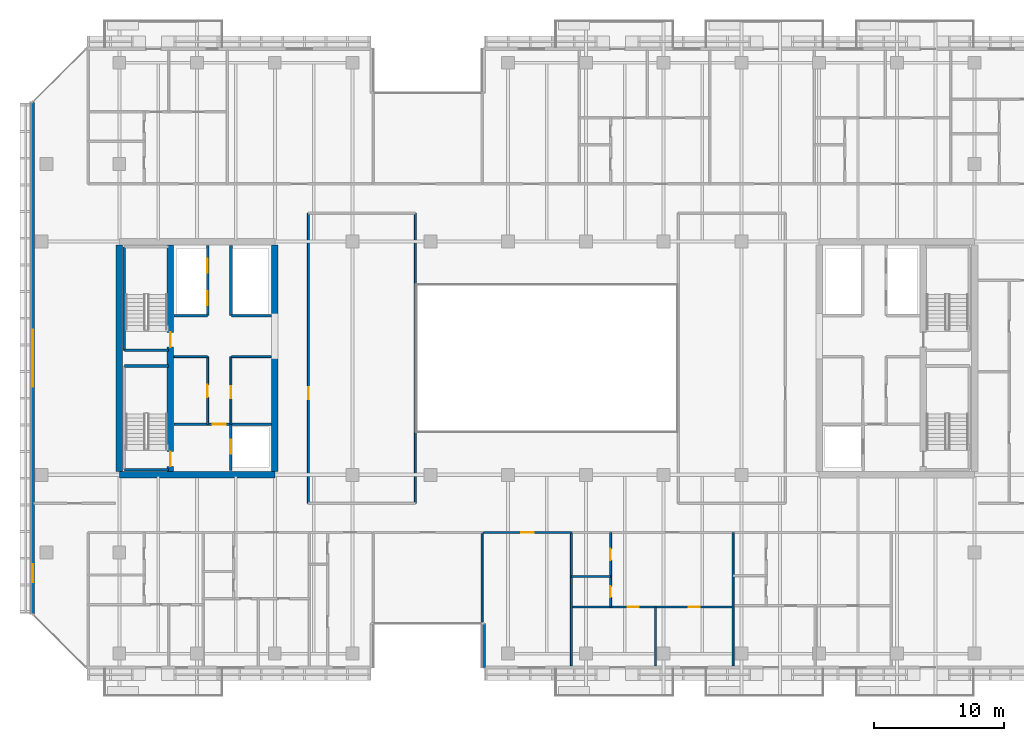
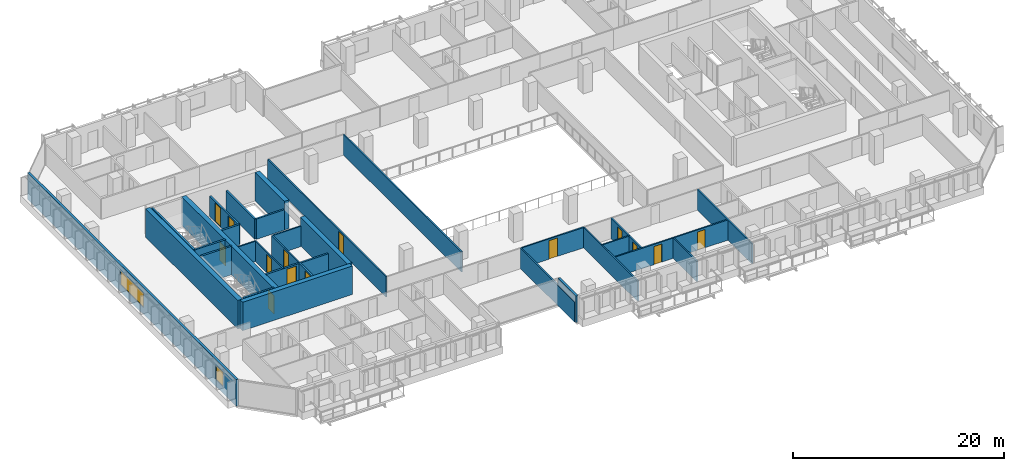
# One storey, part 24 of 35: 31 walls, 14 doors, 2 windows, 16 openings.
"""IFC4 building model written with IfcOpenShell, lengths in metres."""

from ifc_helpers import new_model, si_unit, direction, frame, frame_2d, origin, place, context, subcontext, project, spatial, rectangle, extrude, material, layer, layer_set, type_object, element, fill, save


model = new_model("IFC4")

# Units and contexts
model_context = context("Model", 3, precision=1e-05, world=origin(), true_north=direction((0.0, 1.0)))
body_context = subcontext(model_context, "Body", "Model", "MODEL_VIEW")
ifc_project = project(units=[si_unit("LENGTHUNIT", "METRE"), si_unit("AREAUNIT", "SQUARE_METRE"), si_unit("VOLUMEUNIT", "CUBIC_METRE"), si_unit("PLANEANGLEUNIT", "RADIAN"), si_unit("MASSUNIT", "GRAM", prefix="KILO")], contexts=[model_context])

# Site, building, storey
site_placement = place(None, origin())
site = spatial("IfcSite", under=ifc_project, at=site_placement, CompositionType="ELEMENT")
building_placement = place(site_placement, origin())
building = spatial("IfcBuilding", under=site, at=building_placement, Name="Tanjung Sevakor Pilgrim Tower", CompositionType="ELEMENT")
storey_placement = place(building_placement, frame((0.0, 0.0, 92.070068359375)))
storey = spatial("IfcBuildingStorey", under=building, at=storey_placement, Name="L25", CompositionType="ELEMENT", Elevation=92.070068359375)

# Walls
ifc_material_1 = material(Name="Concrete C60/75", Category="concrete")
ifc_layer_1 = layer(ifc_material_1, 0.5)
ifc_layer_set_1 = layer_set([ifc_layer_1], Name="WALL-CW-500")
wall_type_1 = type_object("IfcWallType", Name="WALL-CW-500", PredefinedType="SHEAR", material=ifc_layer_set_1)
wall_1_placement = place(storey_placement, frame((24.0, 24.60009765625, 0.0), z_axis=(0.0, 0.0, 1.0), x_axis=(1.0, 0.0, 0.0)))
element("IfcWall", 1, at=wall_1_placement, inside=storey, type_object=wall_type_1, Name="L25 W Core South Shear Wall", PredefinedType="SHEAR", context=body_context, shape_type="SweptSolid", body=[
    extrude(rectangle(XDim=12.0, YDim=0.5, at=frame_2d((6.0, 0.0))), origin(), (0.0, 0.0, 1.0), 3.300048828125),
])
wall_2_placement = place(storey_placement, frame((24.0, 24.85009765625, 0.0), z_axis=(0.0, 0.0, 1.0), x_axis=(0.0, 1.0, 0.0)))
element("IfcWall", 2, at=wall_2_placement, inside=storey, type_object=wall_type_1, Name="L25 W Core Outer Shear Wall", PredefinedType="SHEAR", context=body_context, shape_type="SweptSolid", body=[
    extrude(rectangle(XDim=17.5, YDim=0.5, at=frame_2d((8.75, 0.0))), origin(), (0.0, 0.0, 1.0), 3.300048828125),
])
wall_3_placement = place(storey_placement, frame((36.0, 24.85009765625, 0.0), z_axis=(0.0, 0.0, 1.0), x_axis=(0.0, 1.0, 0.0)))
element("IfcWall", 3, at=wall_3_placement, inside=storey, type_object=wall_type_1, Name="L25 W Core Inner Shear Wall South", PredefinedType="SHEAR", context=body_context, shape_type="SweptSolid", body=[
    extrude(rectangle(XDim=8.949951171875, YDim=0.5, at=frame_2d((4.47509765625, 0.0))), origin(), (0.0, 0.0, 1.0), 3.300048828125),
])
wall_4_placement = place(storey_placement, frame((36.0, 36.800048828125, 0.0), z_axis=(0.0, 0.0, 1.0), x_axis=(0.0, 1.0, 0.0)))
element("IfcWall", 4, at=wall_4_placement, inside=storey, type_object=wall_type_1, Name="L25 W Core Inner Shear Wall North", PredefinedType="SHEAR", context=body_context, shape_type="SweptSolid", body=[
    extrude(rectangle(XDim=5.550048828125, YDim=0.5, at=frame_2d((2.77490234375, 0.0))), origin(), (0.0, 0.0, 1.0), 3.300048828125),
])

# Wall, openings, doors
wall_5_placement = place(storey_placement, frame((27.949951171875, 24.85009765625, 0.0), z_axis=(0.0, 0.0, 1.0), x_axis=(0.0, 1.0, 0.0)))
wall_5 = element("IfcWall", 5, at=wall_5_placement, inside=storey, type_object=wall_type_1, Name="L25 W Core Stair Spine Wall", PredefinedType="SHEAR", context=body_context, shape_type="SweptSolid", body=[
    extrude(rectangle(XDim=17.5, YDim=0.5, at=frame_2d((8.75, 0.0))), origin(), (0.0, 0.0, 1.0), 3.300048828125),
])
opening_1_placement = place(wall_5_placement, frame((0.39990234375, 0.0, 0.0)))
opening_1 = element("IfcOpeningElement", 6, at=opening_1_placement, cuts=wall_5, Name="Opening ID-ST1", PredefinedType="OPENING", context=body_context, shape_type="SweptSolid", body=[
    extrude(rectangle(XDim=1.14990234375, YDim=2.14990234375, at=frame_2d((0.574951171875, 1.074951171875))), frame((0.0, 0.260009765625, 0.0), z_axis=(0.0, -1.0, 0.0), x_axis=(1.0, 0.0, 0.0)), (0.0, 0.0, 1.0), 0.52001953125),
])
opening_2_placement = place(wall_5_placement, frame((9.60009765625, 0.0, 0.0)))
opening_2 = element("IfcOpeningElement", 7, at=opening_2_placement, cuts=wall_5, Name="Opening ID-ST1", PredefinedType="OPENING", context=body_context, shape_type="SweptSolid", body=[
    extrude(rectangle(XDim=1.14990234375, YDim=2.14990234375, at=frame_2d((0.574951171875, 1.074951171875))), frame((0.0, 0.260009765625, 0.0), z_axis=(0.0, -1.0, 0.0), x_axis=(1.0, 0.0, 0.0)), (0.0, 0.0, 1.0), 0.52001953125),
])
ifc_material_2 = material(Name="Fire-Rated Steel S355J2", Category="steel")
door_type_1 = type_object("IfcDoorType", Name="DT-FIRE-1150", OperationType="NOTDEFINED", PredefinedType="DOOR", material=ifc_material_2)
door_1_placement = place(opening_1_placement, origin())
door_1 = element("IfcDoor", 8, at=door_1_placement, inside=storey, type_object=door_type_1, Name="L25 TS-W1 Stair Fire Door", OperationType="SINGLE_SWING_RIGHT", OverallHeight=2.14990234375, OverallWidth=1.14990234375, PredefinedType="DOOR", context=body_context, shape_type="SweptSolid", body=[
    extrude(rectangle(XDim=1.14990234375, YDim=2.14990234375, at=frame_2d((0.574951171875, 1.074951171875))), frame((0.0, 0.02490234375, 0.0), z_axis=(0.0, -1.0, 0.0), x_axis=(1.0, 0.0, 0.0)), (0.0, 0.0, 1.0), 0.050048828125),
])
fill(opening_1, door_1)
door_2_placement = place(opening_2_placement, origin())
door_2 = element("IfcDoor", 9, at=door_2_placement, inside=storey, type_object=door_type_1, Name="L25 TS-W2 Stair Fire Door", OperationType="SINGLE_SWING_LEFT", OverallHeight=2.14990234375, OverallWidth=1.14990234375, PredefinedType="DOOR", context=body_context, shape_type="SweptSolid", body=[
    extrude(rectangle(XDim=1.14990234375, YDim=2.14990234375, at=frame_2d((0.574951171875, 1.074951171875))), frame((0.0, 0.02490234375, 0.0), z_axis=(0.0, -1.0, 0.0), x_axis=(1.0, 0.0, 0.0)), (0.0, 0.0, 1.0), 0.050048828125),
])
fill(opening_2, door_2)

# Wall
ifc_material_3 = material(Name="Concrete C40/50", Category="concrete")
ifc_layer_2 = layer(ifc_material_3, 0.14990234375)
ifc_layer_set_2 = layer_set([ifc_layer_2], Name="WT-COMP-150")
wall_type_2 = type_object("IfcWallType", Name="WT-COMP-150", PredefinedType="SOLIDWALL", material=ifc_layer_set_2)
wall_6_placement = place(storey_placement, frame((28.219970703125, 33.719970703125, 0.0), z_axis=(0.0, 0.0, 1.0), x_axis=(1.0, 0.0, 0.0)))
element("IfcWall", 10, at=wall_6_placement, inside=storey, type_object=wall_type_2, Name="L25 Partition IW-L25-003", PredefinedType="SOLIDWALL", context=body_context, shape_type="SweptSolid", body=[
    extrude(rectangle(XDim=2.580078125, YDim=0.14990234375, at=frame_2d((1.2900390625, 0.0))), origin(), (0.0, 0.0, 1.0), 2.35009765625),
])

# Wall, opening, door
wall_7_placement = place(storey_placement, frame((30.820068359375, 28.5, 0.0), z_axis=(0.0, 0.0, 1.0), x_axis=(0.0, 1.0, 0.0)))
wall_7 = element("IfcWall", 11, at=wall_7_placement, inside=storey, type_object=wall_type_2, Name="L25 Partition IW-L25-004", PredefinedType="SOLIDWALL", context=body_context, shape_type="SweptSolid", body=[
    extrude(rectangle(XDim=5.219970703125, YDim=0.14990234375, at=frame_2d((2.60986328125, 0.0))), origin(), (0.0, 0.0, 1.0), 2.35009765625),
])
opening_3_placement = place(wall_7_placement, frame((2.10009765625, 0.0, 0.0)))
opening_3 = element("IfcOpeningElement", 12, at=opening_3_placement, cuts=wall_7, Name="Opening ID-FD2", PredefinedType="OPENING", context=body_context, shape_type="SweptSolid", body=[
    extrude(rectangle(XDim=0.949951171875, YDim=2.14990234375, at=frame_2d((0.47509765625, 1.074951171875))), frame((0.0, 0.0849609375, 0.0), z_axis=(0.0, -1.0, 0.0), x_axis=(1.0, 0.0, 0.0)), (0.0, 0.0, 1.0), 0.169921875),
])
ifc_material_4 = material(Name="Fire-Rated Timber", Category="wood")
door_type_2 = type_object("IfcDoorType", Name="DT-FIRE-950", OperationType="NOTDEFINED", PredefinedType="DOOR", material=ifc_material_4)
door_3_placement = place(opening_3_placement, origin())
door_3 = element("IfcDoor", 13, at=door_3_placement, inside=storey, type_object=door_type_2, Name="L25 Housekeeping Pantry Door", OperationType="SINGLE_SWING_LEFT", OverallHeight=2.14990234375, OverallWidth=0.949951171875, PredefinedType="DOOR", context=body_context, shape_type="SweptSolid", body=[
    extrude(rectangle(XDim=0.949951171875, YDim=2.14990234375, at=frame_2d((0.47509765625, 1.074951171875))), frame((0.0, 0.02490234375, 0.0), z_axis=(0.0, -1.0, 0.0), x_axis=(1.0, 0.0, 0.0)), (0.0, 0.0, 1.0), 0.050048828125),
])
fill(opening_3, door_3)

# Wall
wall_8_placement = place(storey_placement, frame((32.679931640625, 33.719970703125, 0.0), z_axis=(0.0, 0.0, 1.0), x_axis=(1.0, 0.0, 0.0)))
element("IfcWall", 14, at=wall_8_placement, inside=storey, type_object=wall_type_2, Name="L25 Partition IW-L25-005", PredefinedType="SOLIDWALL", context=body_context, shape_type="SweptSolid", body=[
    extrude(rectangle(XDim=3.050048828125, YDim=0.14990234375, at=frame_2d((1.52490234375, 0.0))), origin(), (0.0, 0.0, 1.0), 2.35009765625),
])

# Wall, opening, door
wall_9_placement = place(storey_placement, frame((32.6201171875, 28.5, 0.0), z_axis=(0.0, 0.0, 1.0), x_axis=(0.0, 1.0, 0.0)))
wall_9 = element("IfcWall", 15, at=wall_9_placement, inside=storey, type_object=wall_type_2, Name="L25 Partition IW-L25-006", PredefinedType="SOLIDWALL", context=body_context, shape_type="SweptSolid", body=[
    extrude(rectangle(XDim=5.219970703125, YDim=0.14990234375, at=frame_2d((2.60986328125, 0.0))), origin(), (0.0, 0.0, 1.0), 2.35009765625),
])
opening_4_placement = place(wall_9_placement, frame((2.0, 0.0, 0.0)))
opening_4 = element("IfcOpeningElement", 16, at=opening_4_placement, cuts=wall_9, Name="Opening ID-FD2", PredefinedType="OPENING", context=body_context, shape_type="SweptSolid", body=[
    extrude(rectangle(XDim=0.949951171875, YDim=2.14990234375, at=frame_2d((0.47509765625, 1.074951171875))), frame((0.0, 0.0849609375, 0.0), z_axis=(0.0, -1.0, 0.0), x_axis=(1.0, 0.0, 0.0)), (0.0, 0.0, 1.0), 0.169921875),
])
door_4_placement = place(opening_4_placement, origin())
door_4 = element("IfcDoor", 17, at=door_4_placement, inside=storey, type_object=door_type_2, Name="L25 Accessible WC Door", OperationType="SINGLE_SWING_RIGHT", OverallHeight=2.14990234375, OverallWidth=0.949951171875, PredefinedType="DOOR", context=body_context, shape_type="SweptSolid", body=[
    extrude(rectangle(XDim=0.949951171875, YDim=2.14990234375, at=frame_2d((0.47509765625, 1.074951171875))), frame((0.0, 0.02490234375, 0.0), z_axis=(0.0, -1.0, 0.0), x_axis=(1.0, 0.0, 0.0)), (0.0, 0.0, 1.0), 0.050048828125),
])
fill(opening_4, door_4)

wall_10_placement = place(storey_placement, frame((38.60009765625, 22.39990234375, 0.0), z_axis=(0.0, 0.0, 1.0), x_axis=(0.0, 1.0, 0.0)))
wall_10 = element("IfcWall", 18, at=wall_10_placement, inside=storey, type_object=wall_type_2, Name="L25 Partition IW-L25-023", PredefinedType="SOLIDWALL", context=body_context, shape_type="SweptSolid", body=[
    extrude(rectangle(XDim=22.400146484375, YDim=0.14990234375, at=frame_2d((11.2001953125, 0.0))), origin(), (0.0, 0.0, 1.0), 2.35009765625),
])
opening_5_placement = place(wall_10_placement, frame((8.02490234375, 0.0, 0.0)))
opening_5 = element("IfcOpeningElement", 19, at=opening_5_placement, cuts=wall_10, Name="Opening ID-RM1", PredefinedType="OPENING", context=body_context, shape_type="SweptSolid", body=[
    extrude(rectangle(XDim=0.949951171875, YDim=2.14990234375, at=frame_2d((0.47509765625, 1.074951171875))), frame((0.0, 0.0849609375, 0.0), z_axis=(0.0, -1.0, 0.0), x_axis=(1.0, 0.0, 0.0)), (0.0, 0.0, 1.0), 0.169921875),
])
ifc_material_5 = material(Name="Hardwood Timber", Category="wood")
door_type_3 = type_object("IfcDoorType", Name="DT-INT-950", OperationType="NOTDEFINED", PredefinedType="DOOR", material=ifc_material_5)
door_5_placement = place(opening_5_placement, origin())
door_5 = element("IfcDoor", 20, at=door_5_placement, inside=storey, type_object=door_type_3, Name="L25 Central West Room Door", OperationType="SINGLE_SWING_LEFT", OverallHeight=2.14990234375, OverallWidth=0.949951171875, PredefinedType="DOOR", context=body_context, shape_type="SweptSolid", body=[
    extrude(rectangle(XDim=0.949951171875, YDim=2.14990234375, at=frame_2d((0.47509765625, 1.074951171875))), frame((0.0, 0.02490234375, 0.0), z_axis=(0.0, -1.0, 0.0), x_axis=(1.0, 0.0, 0.0)), (0.0, 0.0, 1.0), 0.050048828125),
])
fill(opening_5, door_5)

# Walls
wall_11_placement = place(storey_placement, frame((46.85009765625, 22.39990234375, 0.0), z_axis=(0.0, 0.0, 1.0), x_axis=(0.0, 1.0, 0.0)))
element("IfcWall", 21, at=wall_11_placement, inside=storey, type_object=wall_type_2, Name="L25 Partition IW-L25-024", PredefinedType="SOLIDWALL", context=body_context, shape_type="SweptSolid", body=[
    extrude(rectangle(XDim=22.400146484375, YDim=0.14990234375, at=frame_2d((11.2001953125, 0.0))), origin(), (0.0, 0.0, 1.0), 2.35009765625),
])
for number, where, z_axis, x_axis, name in (
    (22, (52.0, 9.85009765625, 0.0), (0.0, 0.0, 1.0), (0.0, 1.0, 0.0), "L25 Partition IW-L25-039"),
    (23, (58.895751953125, 9.85009765625, 0.0), (0.0, 0.0, 1.0), (0.0, 1.0, 0.0), "L25 Partition IW-L25-060"),
):
    element("IfcWall", number, at=place(storey_placement, frame(where, z_axis=z_axis, x_axis=x_axis)), inside=storey, type_object=wall_type_2, Name=name, PredefinedType="SOLIDWALL", context=body_context, shape_type="SweptSolid", body=[
        extrude(rectangle(XDim=10.2998046875, YDim=0.14990234375, at=frame_2d((5.14990234375, 0.0))), origin(), (0.0, 0.0, 1.0), 2.35009765625),
    ])

# Wall, opening, door
wall_12_placement = place(storey_placement, frame((52.1201171875, 20.14990234375, 0.0), z_axis=(0.0, 0.0, 1.0), x_axis=(1.0, 0.0, 0.0)))
wall_12 = element("IfcWall", 24, at=wall_12_placement, inside=storey, type_object=wall_type_2, Name="L25 Partition IW-L25-061", PredefinedType="SOLIDWALL", context=body_context, shape_type="SweptSolid", body=[
    extrude(rectangle(XDim=6.775634765625, YDim=0.14990234375, at=frame_2d((3.3876953125, 0.0))), origin(), (0.0, 0.0, 1.0), 2.35009765625),
])
opening_6_placement = place(wall_12_placement, frame((2.912841796875, 0.0, 0.0)))
opening_6 = element("IfcOpeningElement", 25, at=opening_6_placement, cuts=wall_12, Name="Opening ID-FD2", PredefinedType="OPENING", context=body_context, shape_type="SweptSolid", body=[
    extrude(rectangle(XDim=0.949951171875, YDim=2.14990234375, at=frame_2d((0.47509765625, 1.074951171875))), frame((0.0, 0.0849609375, 0.0), z_axis=(0.0, -1.0, 0.0), x_axis=(1.0, 0.0, 0.0)), (0.0, 0.0, 1.0), 0.169921875),
])
door_6_placement = place(opening_6_placement, origin())
door_6 = element("IfcDoor", 26, at=door_6_placement, inside=storey, type_object=door_type_2, Name="Housekeeping Pantry Door", OperationType="SINGLE_SWING_RIGHT", OverallHeight=2.14990234375, OverallWidth=0.949951171875, PredefinedType="DOOR", context=body_context, shape_type="SweptSolid", body=[
    extrude(rectangle(XDim=0.949951171875, YDim=2.14990234375, at=frame_2d((0.47509765625, 1.074951171875))), frame((0.0, 0.02490234375, 0.0), z_axis=(0.0, -1.0, 0.0), x_axis=(1.0, 0.0, 0.0)), (0.0, 0.0, 1.0), 0.050048828125),
])
fill(opening_6, door_6)

# Walls
wall_13_placement = place(storey_placement, frame((71.36328125, 9.85009765625, 0.0), z_axis=(0.0, 0.0, 1.0), x_axis=(0.0, 1.0, 0.0)))
element("IfcWall", 27, at=wall_13_placement, inside=storey, type_object=wall_type_2, Name="L25 Partition IW-L25-062", PredefinedType="SOLIDWALL", context=body_context, shape_type="SweptSolid", body=[
    extrude(rectangle(XDim=10.2998046875, YDim=0.14990234375, at=frame_2d((5.14990234375, 0.0))), origin(), (0.0, 0.0, 1.0), 2.35009765625),
])
ifc_material_6 = material(Name="Precast concrete C45/55", Category="concrete")
ifc_layer_3 = layer(ifc_material_6, 0.25)
ifc_layer_set_3 = layer_set([ifc_layer_3], Name="WT-EW-STN3")
wall_type_3 = type_object("IfcWallType", Name="WT-EW-STN3", PredefinedType="SOLIDWALL", material=ifc_layer_set_3)
wall_14_placement = place(storey_placement, frame((52.125, 13.125, 0.0), z_axis=(0.0, 0.0, 1.0), x_axis=(0.0, -1.0, 0.0)))
element("IfcWall", 28, at=wall_14_placement, inside=storey, type_object=wall_type_3, Name="L25 MAIN Exterior Wall 4", PredefinedType="SOLIDWALL", context=body_context, shape_type="SweptSolid", body=[
    extrude(rectangle(XDim=3.39990234375, YDim=0.25, at=frame_2d((1.699951171875, 0.0))), origin(), (0.0, 0.0, 1.0), 3.080078125),
])

# Wall, openings, windows
wall_15_placement = place(storey_placement, frame((17.324951171875, 53.34814453125, 0.0), z_axis=(0.0, 0.0, 1.0), x_axis=(0.0, -1.0, 0.0)))
wall_15 = element("IfcWall", 29, at=wall_15_placement, inside=storey, type_object=wall_type_3, Name="L25 MAIN Exterior Wall 15", PredefinedType="SOLIDWALL", context=body_context, shape_type="SweptSolid", body=[
    extrude(rectangle(XDim=39.496337890625, YDim=0.25, at=frame_2d((19.748046875, 0.0))), origin(), (0.0, 0.0, 1.0), 3.080078125),
])
opening_7_placement = place(wall_15_placement, frame((17.548095703125, 0.0, 0.780029296875)))
opening_7 = element("IfcOpeningElement", 30, at=opening_7_placement, cuts=wall_15, Name="Opening WN-ENDW-1660", PredefinedType="OPENING", context=body_context, shape_type="SweptSolid", body=[
    extrude(rectangle(XDim=4.39990234375, YDim=1.659912109375, at=frame_2d((2.199951171875, 0.830078125))), frame((0.0, 0.135009765625, 0.0), z_axis=(0.0, -1.0, 0.0), x_axis=(1.0, 0.0, 0.0)), (0.0, 0.0, 1.0), 0.27001953125),
])
opening_8_placement = place(wall_15_placement, frame((35.642333984375, 0.0, 0.780029296875)))
opening_8 = element("IfcOpeningElement", 31, at=opening_8_placement, cuts=wall_15, Name="Opening WN-END", PredefinedType="OPENING", context=body_context, shape_type="SweptSolid", body=[
    extrude(rectangle(XDim=1.39990234375, YDim=1.64990234375, at=frame_2d((0.699951171875, 0.824951171875))), frame((0.0, 0.135009765625, 0.0), z_axis=(0.0, -1.0, 0.0), x_axis=(1.0, 0.0, 0.0)), (0.0, 0.0, 1.0), 0.27001953125),
])
ifc_material_7 = material(Name="Thermally Broken Aluminium and Low-E Glass", Category="aluminium")
window_type_1 = type_object("IfcWindowType", Name="WTYP-WN-END", PartitioningType="SINGLE_PANEL", PredefinedType="WINDOW", material=ifc_material_7)
window_1_placement = place(opening_8_placement, origin())
window_1 = element("IfcWindow", 32, at=window_1_placement, inside=storey, type_object=window_type_1, Name="L25 Facade Window 02", OverallHeight=1.64990234375, OverallWidth=1.39990234375, PartitioningType="SINGLE_PANEL", PredefinedType="WINDOW", context=body_context, shape_type="SweptSolid", body=[
    extrude(rectangle(XDim=1.39990234375, YDim=1.64990234375, at=frame_2d((0.699951171875, 0.824951171875))), frame((0.0, 0.030029296875, 0.0), z_axis=(0.0, -1.0, 0.0), x_axis=(1.0, 0.0, 0.0)), (0.0, 0.0, 1.0), 0.06005859375),
])
fill(opening_8, window_1)
ifc_material_8 = material(Name="Thermally Broken Aluminium and Low-E Glass", Category="aluminium")
window_type_2 = type_object("IfcWindowType", Name="WTYP-WN-ENDW-1660", PartitioningType="DOUBLE_PANEL_VERTICAL", PredefinedType="WINDOW", material=ifc_material_8)
window_2_placement = place(opening_7_placement, origin())
window_2 = element("IfcWindow", 33, at=window_2_placement, inside=storey, type_object=window_type_2, Name="L25 Facade Window 01", OverallHeight=1.659912109375, OverallWidth=4.39990234375, PartitioningType="SINGLE_PANEL", PredefinedType="WINDOW", context=body_context, shape_type="SweptSolid", body=[
    extrude(rectangle(XDim=4.39990234375, YDim=1.659912109375, at=frame_2d((2.199951171875, 0.830078125))), frame((0.0, 0.030029296875, 0.0), z_axis=(0.0, -1.0, 0.0), x_axis=(1.0, 0.0, 0.0)), (0.0, 0.0, 1.0), 0.06005859375),
])
fill(opening_7, window_2)

# Walls
ifc_material_9 = material(Name="Concrete C40/50", Category="concrete")
ifc_layer_4 = layer(ifc_material_9, 0.199951171875)
ifc_layer_set_4 = layer_set([ifc_layer_4], Name="WT-FIRE-200")
wall_type_4 = type_object("IfcWallType", Name="WT-FIRE-200", PredefinedType="SOLIDWALL", material=ifc_layer_set_4)
for number, where, z_axis, x_axis, name in (
    (34, (24.39990234375, 25.0, 0.0), (0.0, 0.0, 1.0), (1.0, 0.0, 0.0), "L25 TS-W1 Shaft Wall 1"),
    (35, (27.800048828125, 33.0, 0.0), (0.0, 0.0, 1.0), (-1.0, 0.0, 0.0), "L25 TS-W1 Shaft Wall 2"),
    (36, (24.39990234375, 34.199951171875, 0.0), (0.0, 0.0, 1.0), (1.0, 0.0, 0.0), "L25 TS-W2 Shaft Wall 1"),
):
    element("IfcWall", number, at=place(storey_placement, frame(where, z_axis=z_axis, x_axis=x_axis)), inside=storey, type_object=wall_type_4, Name=name, PredefinedType="SOLIDWALL", context=body_context, shape_type="SweptSolid", body=[
        extrude(rectangle(XDim=3.400146484375, YDim=0.199951171875, at=frame_2d((1.7001953125, 0.0))), origin(), (0.0, 0.0, 1.0), 3.300048828125),
    ])
wall_16_placement = place(storey_placement, frame((24.39990234375, 42.199951171875, 0.0), z_axis=(0.0, 0.0, 1.0), x_axis=(0.0, -1.0, 0.0)))
element("IfcWall", 37, at=wall_16_placement, inside=storey, type_object=wall_type_4, Name="L25 TS-W2 Shaft Wall 3", PredefinedType="SOLIDWALL", context=body_context, shape_type="SweptSolid", body=[
    extrude(rectangle(XDim=8.0, YDim=0.199951171875, at=frame_2d((4.0, 0.0))), origin(), (0.0, 0.0, 1.0), 3.300048828125),
])

# Wall, opening, door
ifc_material_10 = material(Name="Concrete C40/50", Category="concrete")
ifc_layer_5 = layer(ifc_material_10, 0.199951171875)
ifc_layer_set_5 = layer_set([ifc_layer_5], Name="WT-FPRT-200")
wall_type_5 = type_object("IfcWallType", Name="WT-FPRT-200", PredefinedType="SOLIDWALL", material=ifc_layer_set_5)
wall_17_placement = place(storey_placement, frame((32.60009765625, 24.919921875, 0.0), z_axis=(0.0, 0.0, 1.0), x_axis=(0.0, 1.0, 0.0)))
wall_17 = element("IfcWall", 38, at=wall_17_placement, inside=storey, type_object=wall_type_5, Name="L25 Partition IW-L25-001", PredefinedType="SOLIDWALL", context=body_context, shape_type="SweptSolid", body=[
    extrude(rectangle(XDim=3.580078125, YDim=0.199951171875, at=frame_2d((1.7900390625, 0.0))), origin(), (0.0, 0.0, 1.0), 2.35009765625),
])
opening_9_placement = place(wall_17_placement, frame((1.300048828125, 0.0, 0.0)))
opening_9 = element("IfcOpeningElement", 39, at=opening_9_placement, cuts=wall_17, Name="Opening LD-1100", PredefinedType="OPENING", context=body_context, shape_type="SweptSolid", body=[
    extrude(rectangle(XDim=1.10009765625, YDim=2.199951171875, at=frame_2d((0.550048828125, 1.10009765625))), frame((0.0, 0.10986328125, 0.0), z_axis=(0.0, -1.0, 0.0), x_axis=(1.0, 0.0, 0.0)), (0.0, 0.0, 1.0), 0.219970703125),
])
ifc_material_11 = material(Name="Brushed Stainless Steel S355J2", Category="steel")
door_type_4 = type_object("IfcDoorType", Name="DT-LIFT-1100", OperationType="SLIDING_TO_LEFT", PredefinedType="DOOR", material=ifc_material_11)
door_7_placement = place(opening_9_placement, origin())
door_7 = element("IfcDoor", 40, at=door_7_placement, inside=storey, type_object=door_type_4, Name="LD-FL-W", OperationType="SLIDING_TO_LEFT", OverallHeight=2.199951171875, OverallWidth=1.10009765625, PredefinedType="DOOR", context=body_context, shape_type="SweptSolid", body=[
    extrude(rectangle(XDim=1.10009765625, YDim=2.199951171875, at=frame_2d((0.550048828125, 1.10009765625))), frame((0.0, 0.02490234375, 0.0), z_axis=(0.0, -1.0, 0.0), x_axis=(1.0, 0.0, 0.0)), (0.0, 0.0, 1.0), 0.050048828125),
])
fill(opening_9, door_7)

wall_18_placement = place(storey_placement, frame((28.219970703125, 28.5, 0.0), z_axis=(0.0, 0.0, 1.0), x_axis=(1.0, 0.0, 0.0)))
wall_18 = element("IfcWall", 41, at=wall_18_placement, inside=storey, type_object=wall_type_5, Name="L25 Partition IW-L25-002", PredefinedType="SOLIDWALL", context=body_context, shape_type="SweptSolid", body=[
    extrude(rectangle(XDim=7.510009765625, YDim=0.199951171875, at=frame_2d((3.7548828125, 0.0))), origin(), (0.0, 0.0, 1.0), 2.35009765625),
])
opening_10_placement = place(wall_18_placement, frame((2.97998046875, 0.0, 0.0)))
opening_10 = element("IfcOpeningElement", 42, at=opening_10_placement, cuts=wall_18, Name="Opening ID-FD1", PredefinedType="OPENING", context=body_context, shape_type="SweptSolid", body=[
    extrude(rectangle(XDim=1.0, YDim=2.14990234375, at=frame_2d((0.5, 1.074951171875))), frame((0.0, 0.10986328125, 0.0), z_axis=(0.0, -1.0, 0.0), x_axis=(1.0, 0.0, 0.0)), (0.0, 0.0, 1.0), 0.219970703125),
])
ifc_material_12 = material(Name="Fire-Rated Steel S355J2", Category="steel")
door_type_5 = type_object("IfcDoorType", Name="DT-FIRE-1000", OperationType="NOTDEFINED", PredefinedType="DOOR", material=ifc_material_12)
door_8_placement = place(opening_10_placement, origin())
door_8 = element("IfcDoor", 43, at=door_8_placement, inside=storey, type_object=door_type_5, Name="Fire Lobby Door W", OperationType="SINGLE_SWING_RIGHT", OverallHeight=2.14990234375, OverallWidth=1.0, PredefinedType="DOOR", context=body_context, shape_type="SweptSolid", body=[
    extrude(rectangle(XDim=1.0, YDim=2.14990234375, at=frame_2d((0.5, 1.074951171875))), frame((0.0, 0.02490234375, 0.0), z_axis=(0.0, -1.0, 0.0), x_axis=(1.0, 0.0, 0.0)), (0.0, 0.0, 1.0), 0.050048828125),
])
fill(opening_10, door_8)

# Wall
wall_19_placement = place(storey_placement, frame((28.219970703125, 36.8798828125, 0.0), z_axis=(0.0, 0.0, 1.0), x_axis=(1.0, 0.0, 0.0)))
element("IfcWall", 44, at=wall_19_placement, inside=storey, type_object=wall_type_5, Name="L25 Partition IW-L25-007", PredefinedType="SOLIDWALL", context=body_context, shape_type="SweptSolid", body=[
    extrude(rectangle(XDim=2.580078125, YDim=0.199951171875, at=frame_2d((1.2900390625, 0.0))), origin(), (0.0, 0.0, 1.0), 2.35009765625),
])

# Wall, openings, doors
wall_20_placement = place(storey_placement, frame((30.820068359375, 36.8798828125, 0.0), z_axis=(0.0, 0.0, 1.0), x_axis=(0.0, 1.0, 0.0)))
wall_20 = element("IfcWall", 45, at=wall_20_placement, inside=storey, type_object=wall_type_5, Name="L25 Partition IW-L25-008", PredefinedType="SOLIDWALL", context=body_context, shape_type="SweptSolid", body=[
    extrude(rectangle(XDim=5.420166015625, YDim=0.199951171875, at=frame_2d((2.7099609375, 0.0))), origin(), (0.0, 0.0, 1.0), 2.35009765625),
])
opening_11_placement = place(wall_20_placement, frame((0.800048828125, 0.0, 0.0)))
opening_11 = element("IfcOpeningElement", 46, at=opening_11_placement, cuts=wall_20, Name="Opening LD-1100", PredefinedType="OPENING", context=body_context, shape_type="SweptSolid", body=[
    extrude(rectangle(XDim=1.10009765625, YDim=2.199951171875, at=frame_2d((0.550048828125, 1.10009765625))), frame((0.0, 0.10986328125, 0.0), z_axis=(0.0, -1.0, 0.0), x_axis=(1.0, 0.0, 0.0)), (0.0, 0.0, 1.0), 0.219970703125),
])
opening_12_placement = place(wall_20_placement, frame((3.300048828125, 0.0, 0.0)))
opening_12 = element("IfcOpeningElement", 47, at=opening_12_placement, cuts=wall_20, Name="Opening LD-1100", PredefinedType="OPENING", context=body_context, shape_type="SweptSolid", body=[
    extrude(rectangle(XDim=1.10009765625, YDim=2.199951171875, at=frame_2d((0.550048828125, 1.10009765625))), frame((0.0, 0.10986328125, 0.0), z_axis=(0.0, -1.0, 0.0), x_axis=(1.0, 0.0, 0.0)), (0.0, 0.0, 1.0), 0.219970703125),
])
door_9_placement = place(opening_11_placement, origin())
door_9 = element("IfcDoor", 48, at=door_9_placement, inside=storey, type_object=door_type_4, Name="LD-PLM1-W", OperationType="SLIDING_TO_LEFT", OverallHeight=2.199951171875, OverallWidth=1.10009765625, PredefinedType="DOOR", context=body_context, shape_type="SweptSolid", body=[
    extrude(rectangle(XDim=1.10009765625, YDim=2.199951171875, at=frame_2d((0.550048828125, 1.10009765625))), frame((0.0, 0.02490234375, 0.0), z_axis=(0.0, -1.0, 0.0), x_axis=(1.0, 0.0, 0.0)), (0.0, 0.0, 1.0), 0.050048828125),
])
fill(opening_11, door_9)
door_10_placement = place(opening_12_placement, origin())
door_10 = element("IfcDoor", 49, at=door_10_placement, inside=storey, type_object=door_type_4, Name="LD-PLM2-W", OperationType="SLIDING_TO_RIGHT", OverallHeight=2.199951171875, OverallWidth=1.10009765625, PredefinedType="DOOR", context=body_context, shape_type="SweptSolid", body=[
    extrude(rectangle(XDim=1.10009765625, YDim=2.199951171875, at=frame_2d((0.550048828125, 1.10009765625))), frame((0.0, 0.02490234375, 0.0), z_axis=(0.0, -1.0, 0.0), x_axis=(1.0, 0.0, 0.0)), (0.0, 0.0, 1.0), 0.050048828125),
])
fill(opening_12, door_10)

# Walls
wall_21_placement = place(storey_placement, frame((32.679931640625, 36.8798828125, 0.0), z_axis=(0.0, 0.0, 1.0), x_axis=(1.0, 0.0, 0.0)))
element("IfcWall", 50, at=wall_21_placement, inside=storey, type_object=wall_type_5, Name="L25 Partition IW-L25-009", PredefinedType="SOLIDWALL", context=body_context, shape_type="SweptSolid", body=[
    extrude(rectangle(XDim=3.050048828125, YDim=0.199951171875, at=frame_2d((1.52490234375, 0.0))), origin(), (0.0, 0.0, 1.0), 2.35009765625),
])
wall_22_placement = place(storey_placement, frame((32.6201171875, 36.8798828125, 0.0), z_axis=(0.0, 0.0, 1.0), x_axis=(0.0, 1.0, 0.0)))
element("IfcWall", 51, at=wall_22_placement, inside=storey, type_object=wall_type_5, Name="L25 Partition IW-L25-010", PredefinedType="SOLIDWALL", context=body_context, shape_type="SweptSolid", body=[
    extrude(rectangle(XDim=5.420166015625, YDim=0.199951171875, at=frame_2d((2.7099609375, 0.0))), origin(), (0.0, 0.0, 1.0), 2.35009765625),
])
ifc_material_13 = material(Name="Gypsum Board Partition", Category="gypsum board")
ifc_layer_6 = layer(ifc_material_13, 0.14990234375)
ifc_layer_set_6 = layer_set([ifc_layer_6], Name="WT-PART-150")
wall_type_6 = type_object("IfcWallType", Name="WT-PART-150", PredefinedType="PARTITIONING", material=ifc_layer_set_6)
wall_23_placement = place(storey_placement, frame((58.895751953125, 16.7578125, 0.0), z_axis=(0.0, 0.0, 1.0), x_axis=(1.0, 0.0, 0.0)))
element("IfcWall", 52, at=wall_23_placement, inside=storey, type_object=wall_type_6, Name="L25 Partition IW-L25-063", PredefinedType="PARTITIONING", context=body_context, shape_type="SweptSolid", body=[
    extrude(rectangle(XDim=3.024169921875, YDim=0.14990234375, at=frame_2d((1.51220703125, 0.0))), origin(), (0.0, 0.0, 1.0), 2.35009765625),
])

# Wall, openings, doors
wall_24_placement = place(storey_placement, frame((61.919921875, 14.400390625, 0.0), z_axis=(0.0, 0.0, 1.0), x_axis=(0.0, 1.0, 0.0)))
wall_24 = element("IfcWall", 53, at=wall_24_placement, inside=storey, type_object=wall_type_6, Name="L25 Partition IW-L25-064", PredefinedType="PARTITIONING", context=body_context, shape_type="SweptSolid", body=[
    extrude(rectangle(XDim=5.74951171875, YDim=0.14990234375, at=frame_2d((2.874755859375, 0.0))), origin(), (0.0, 0.0, 1.0), 2.35009765625),
])
opening_13_placement = place(wall_24_placement, frame((0.753662109375, 0.0, 0.0)))
opening_13 = element("IfcOpeningElement", 54, at=opening_13_placement, cuts=wall_24, Name="Opening ID-WC1", PredefinedType="OPENING", context=body_context, shape_type="SweptSolid", body=[
    extrude(rectangle(XDim=0.85009765625, YDim=2.10009765625, at=frame_2d((0.425048828125, 1.050048828125))), frame((0.0, 0.0849609375, 0.0), z_axis=(0.0, -1.0, 0.0), x_axis=(1.0, 0.0, 0.0)), (0.0, 0.0, 1.0), 0.169921875),
])
opening_14_placement = place(wall_24_placement, frame((3.62841796875, 0.0, 0.0)))
opening_14 = element("IfcOpeningElement", 55, at=opening_14_placement, cuts=wall_24, Name="Opening ID-WC1", PredefinedType="OPENING", context=body_context, shape_type="SweptSolid", body=[
    extrude(rectangle(XDim=0.85009765625, YDim=2.10009765625, at=frame_2d((0.425048828125, 1.050048828125))), frame((0.0, 0.0849609375, 0.0), z_axis=(0.0, -1.0, 0.0), x_axis=(1.0, 0.0, 0.0)), (0.0, 0.0, 1.0), 0.169921875),
])
ifc_material_14 = material(Name="Moisture-Resistant Timber", Category="wood")
door_type_6 = type_object("IfcDoorType", Name="DT-INT-850", OperationType="NOTDEFINED", PredefinedType="DOOR", material=ifc_material_14)
door_11_placement = place(opening_13_placement, origin())
door_11 = element("IfcDoor", 56, at=door_11_placement, inside=storey, type_object=door_type_6, Name="Suite Bathroom Door", OperationType="SINGLE_SWING_LEFT", OverallHeight=2.10009765625, OverallWidth=0.85009765625, PredefinedType="DOOR", context=body_context, shape_type="SweptSolid", body=[
    extrude(rectangle(XDim=0.85009765625, YDim=2.10009765625, at=frame_2d((0.425048828125, 1.050048828125))), frame((0.0, 0.02490234375, 0.0), z_axis=(0.0, -1.0, 0.0), x_axis=(1.0, 0.0, 0.0)), (0.0, 0.0, 1.0), 0.050048828125),
])
fill(opening_13, door_11)
door_12_placement = place(opening_14_placement, origin())
door_12 = element("IfcDoor", 57, at=door_12_placement, inside=storey, type_object=door_type_6, Name="Suite Kitchenette Door", OperationType="SINGLE_SWING_RIGHT", OverallHeight=2.10009765625, OverallWidth=0.85009765625, PredefinedType="DOOR", context=body_context, shape_type="SweptSolid", body=[
    extrude(rectangle(XDim=0.85009765625, YDim=2.10009765625, at=frame_2d((0.425048828125, 1.050048828125))), frame((0.0, 0.02490234375, 0.0), z_axis=(0.0, -1.0, 0.0), x_axis=(1.0, 0.0, 0.0)), (0.0, 0.0, 1.0), 0.050048828125),
])
fill(opening_14, door_12)

# Wall
wall_25_placement = place(storey_placement, frame((65.37890625, 9.85009765625, 0.0), z_axis=(0.0, 0.0, 1.0), x_axis=(0.0, 1.0, 0.0)))
element("IfcWall", 58, at=wall_25_placement, inside=storey, type_object=wall_type_6, Name="L25 Partition IW-L25-065", PredefinedType="PARTITIONING", context=body_context, shape_type="SweptSolid", body=[
    extrude(rectangle(XDim=4.55029296875, YDim=0.14990234375, at=frame_2d((2.275146484375, 0.0))), origin(), (0.0, 0.0, 1.0), 2.35009765625),
])

# Wall, openings, doors
wall_26_placement = place(storey_placement, frame((58.895751953125, 14.400390625, 0.0), z_axis=(0.0, 0.0, 1.0), x_axis=(1.0, 0.0, 0.0)))
wall_26 = element("IfcWall", 59, at=wall_26_placement, inside=storey, type_object=wall_type_6, Name="L25 Partition IW-L25-066", PredefinedType="PARTITIONING", context=body_context, shape_type="SweptSolid", body=[
    extrude(rectangle(XDim=12.467529296875, YDim=0.14990234375, at=frame_2d((6.23388671875, 0.0))), origin(), (0.0, 0.0, 1.0), 2.35009765625),
])
opening_15_placement = place(wall_26_placement, frame((4.32861328125, 0.0, 0.0)))
opening_15 = element("IfcOpeningElement", 60, at=opening_15_placement, cuts=wall_26, Name="Opening ID-WC1", PredefinedType="OPENING", context=body_context, shape_type="SweptSolid", body=[
    extrude(rectangle(XDim=0.85009765625, YDim=2.10009765625, at=frame_2d((0.425048828125, 1.050048828125))), frame((0.0, 0.0849609375, 0.0), z_axis=(0.0, -1.0, 0.0), x_axis=(1.0, 0.0, 0.0)), (0.0, 0.0, 1.0), 0.169921875),
])
opening_16_placement = place(wall_26_placement, frame((9.05029296875, 0.0, 0.0)))
opening_16 = element("IfcOpeningElement", 61, at=opening_16_placement, cuts=wall_26, Name="Opening ID-WC1", PredefinedType="OPENING", context=body_context, shape_type="SweptSolid", body=[
    extrude(rectangle(XDim=0.85009765625, YDim=2.10009765625, at=frame_2d((0.425048828125, 1.050048828125))), frame((0.0, 0.0849609375, 0.0), z_axis=(0.0, -1.0, 0.0), x_axis=(1.0, 0.0, 0.0)), (0.0, 0.0, 1.0), 0.169921875),
])
door_13_placement = place(opening_15_placement, origin())
door_13 = element("IfcDoor", 62, at=door_13_placement, inside=storey, type_object=door_type_6, Name="Suite Bedroom 1 Door", OperationType="SINGLE_SWING_LEFT", OverallHeight=2.10009765625, OverallWidth=0.85009765625, PredefinedType="DOOR", context=body_context, shape_type="SweptSolid", body=[
    extrude(rectangle(XDim=0.85009765625, YDim=2.10009765625, at=frame_2d((0.425048828125, 1.050048828125))), frame((0.0, 0.02490234375, 0.0), z_axis=(0.0, -1.0, 0.0), x_axis=(1.0, 0.0, 0.0)), (0.0, 0.0, 1.0), 0.050048828125),
])
fill(opening_15, door_13)
door_14_placement = place(opening_16_placement, origin())
door_14 = element("IfcDoor", 63, at=door_14_placement, inside=storey, type_object=door_type_6, Name="Suite Bedroom 2 Door", OperationType="SINGLE_SWING_RIGHT", OverallHeight=2.10009765625, OverallWidth=0.85009765625, PredefinedType="DOOR", context=body_context, shape_type="SweptSolid", body=[
    extrude(rectangle(XDim=0.85009765625, YDim=2.10009765625, at=frame_2d((0.425048828125, 1.050048828125))), frame((0.0, 0.02490234375, 0.0), z_axis=(0.0, -1.0, 0.0), x_axis=(1.0, 0.0, 0.0)), (0.0, 0.0, 1.0), 0.050048828125),
])
fill(opening_16, door_14)

save(model, "model.ifc")
